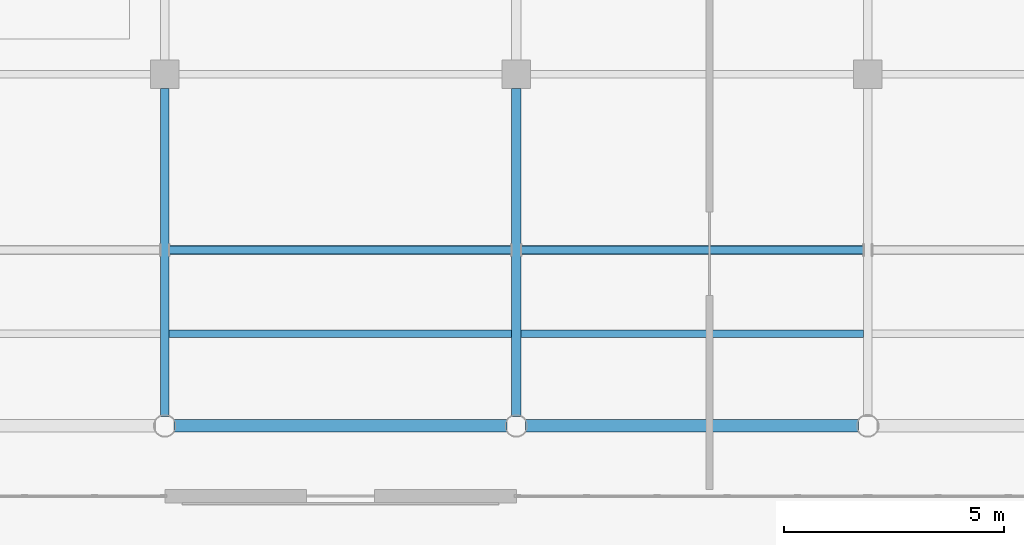
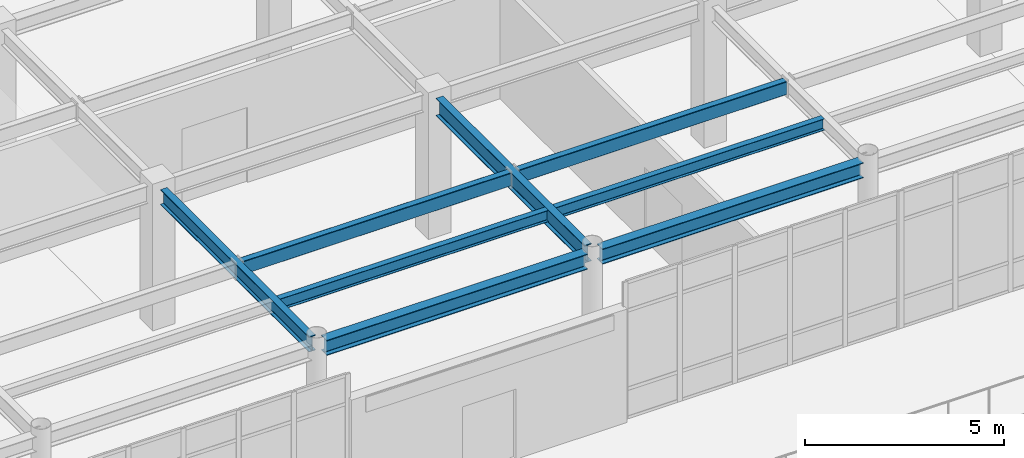
# One storey, part 37 of 93: 8 beams.
"""IFC4 building model written with IfcOpenShell, lengths in metres."""

from ifc_helpers import new_model, si_unit, direction, frame, origin, origin_2d, place, context, subcontext, project, spatial, hollow_rectangle, i_section, extrude, material, material_profile, profile_set, type_object, element, save


model = new_model("IFC4")

# Units and contexts
model_context = context("Model", 3, precision=1e-05, world=origin(), true_north=direction((0.0, 1.0)))
body_context = subcontext(model_context, "Body", "Model", "MODEL_VIEW")
ifc_project = project(units=[si_unit("LENGTHUNIT", "METRE"), si_unit("AREAUNIT", "SQUARE_METRE"), si_unit("VOLUMEUNIT", "CUBIC_METRE"), si_unit("PLANEANGLEUNIT", "RADIAN"), si_unit("MASSUNIT", "GRAM", prefix="KILO")], contexts=[model_context])

# Site, building, storey
site_placement = place(None, origin())
site = spatial("IfcSite", under=ifc_project, at=site_placement, CompositionType="ELEMENT")
building_placement = place(site_placement, origin())
building = spatial("IfcBuilding", under=site, at=building_placement, Name="Solmirada Galleria", CompositionType="ELEMENT")
storey_placement = place(building_placement, frame((0.0, 0.0, 14.89990234375)))
storey = spatial("IfcBuildingStorey", under=building, at=storey_placement, Name="L03", CompositionType="ELEMENT", Elevation=14.89990234375)

# Beams
ifc_material_1 = material(Name="Steel S355 / ASTM A992 Grade 50", Category="steel")
ifc_material_profile_1 = material_profile(ifc_material_1, i_section(OverallWidth=0.281982421875, OverallDepth=0.467041015625, WebThickness=0.01220703125, FlangeThickness=0.01953125, FilletRadius=0.013916015625, at=origin_2d()), Name="W18X86")
ifc_profile_set_1 = profile_set([ifc_material_profile_1], Name="Steel S355 / ASTM A992 Grade 50")
beam_type_1 = type_object("IfcBeamType", Name="BM-GIRD-W18A", PredefinedType="BEAM", material=ifc_profile_set_1)
for number, where, z_axis, x_axis, name in (
    (1, (56.21337890625, 88.0, 4.026611328125), (1.0, 0.0, 0.0), (0.0, 1.0, 0.0), "Primary beam L04 X(56..64, 88)"),
    (2, (64.21337890625, 88.0, 4.026611328125), (1.0, 0.0, 0.0), (0.0, 1.0, 0.0), "Primary beam L04 X(64..72, 88)"),
):
    element("IfcBeam", number, at=place(storey_placement, frame(where, z_axis=z_axis, x_axis=x_axis)), inside=storey, type_object=beam_type_1, Name=name, PredefinedType="BEAM", context=body_context, shape_type="SweptSolid", body=[
        extrude(i_section(OverallWidth=0.281982421875, OverallDepth=0.467041015625, WebThickness=0.01220703125, FlangeThickness=0.01953125, FilletRadius=0.013916015625, at=origin_2d()), origin(), (0.0, 0.0, 1.0), 7.5732421875),
    ])
ifc_material_profile_2 = material_profile(ifc_material_1, i_section(OverallWidth=0.194091796875, OverallDepth=0.468994140625, WebThickness=0.0126953125, FlangeThickness=0.0205078125, FilletRadius=0.013916015625, at=origin_2d()), Name="W18X71")
ifc_profile_set_2 = profile_set([ifc_material_profile_2], Name="Steel S355 / ASTM A992 Grade 50")
beam_type_2 = type_object("IfcBeamType", Name="BM-GIRD-W18B", PredefinedType="BEAM", material=ifc_profile_set_2)
beam_1_placement = place(storey_placement, frame((56.0, 88.21337890625, 4.025634765625), z_axis=(0.0, 1.0, 0.0), x_axis=(-1.0, 0.0, 0.0)))
element("IfcBeam", 3, at=beam_1_placement, inside=storey, type_object=beam_type_2, Name="Primary girder L04 Y(56, 88..96)", PredefinedType="BEAM", context=body_context, shape_type="SweptSolid", body=[
    extrude(i_section(OverallWidth=0.194091796875, OverallDepth=0.468994140625, WebThickness=0.0126953125, FlangeThickness=0.0205078125, FilletRadius=0.013916015625, at=origin_2d()), origin(), (0.0, 0.0, 1.0), 7.461669921875),
])
ifc_material_profile_3 = material_profile(ifc_material_1, i_section(OverallWidth=0.2099609375, OverallDepth=0.537109375, WebThickness=0.010986328125, FlangeThickness=0.017333984375, FilletRadius=0.014892578125, at=origin_2d()), Name="W21X68")
ifc_profile_set_3 = profile_set([ifc_material_profile_3], Name="Steel S355 / ASTM A992 Grade 50")
beam_type_3 = type_object("IfcBeamType", Name="BM-GIRD-W21B", PredefinedType="BEAM", material=ifc_profile_set_3)
beam_2_placement = place(storey_placement, frame((64.0, 88.21337890625, 3.99169921875), z_axis=(0.0, 1.0, 0.0), x_axis=(-1.0, 0.0, 0.0)))
element("IfcBeam", 4, at=beam_2_placement, inside=storey, type_object=beam_type_3, Name="Primary girder L04 Y(64, 88..96)", PredefinedType="BEAM", context=body_context, shape_type="SweptSolid", body=[
    extrude(i_section(OverallWidth=0.2099609375, OverallDepth=0.537109375, WebThickness=0.010986328125, FlangeThickness=0.017333984375, FilletRadius=0.014892578125, at=origin_2d()), origin(), (0.0, 0.0, 1.0), 7.461669921875),
])
ifc_material_profile_4 = material_profile(ifc_material_1, i_section(OverallWidth=0.1708984375, OverallDepth=0.35205078125, WebThickness=0.0068359375, FlangeThickness=0.009765625, FilletRadius=0.010986328125, at=origin_2d()), Name="W14X30")
ifc_profile_set_4 = profile_set([ifc_material_profile_4], Name="Steel S355 / ASTM A992 Grade 50")
beam_type_4 = type_object("IfcBeamType", Name="BM-JST-W14B", PredefinedType="JOIST", material=ifc_profile_set_4)
for number, where, z_axis, x_axis, name in (
    (5, (56.096923828125, 90.10009765625, 4.083984375), (1.0, 0.0, 0.0), (0.0, 1.0, 0.0), "Terrace deck joist L04-TERR-NW X=56..64 (2)"),
    (6, (64.10498046875, 90.10009765625, 4.083984375), (1.0, 0.0, 0.0), (0.0, 1.0, 0.0), "Terrace deck joist L04-TERR-NW X=64..72 (2)"),
):
    element("IfcBeam", number, at=place(storey_placement, frame(where, z_axis=z_axis, x_axis=x_axis)), inside=storey, type_object=beam_type_4, Name=name, PredefinedType="JOIST", context=body_context, shape_type="SweptSolid", body=[
        extrude(i_section(OverallWidth=0.1708984375, OverallDepth=0.35205078125, WebThickness=0.0068359375, FlangeThickness=0.009765625, FilletRadius=0.010986328125, at=origin_2d()), origin(), (0.0, 0.0, 1.0), 7.798095703125),
    ])
ifc_material_2 = material(Name="Steel S355 / ASTM A500 Grade C", Category="steel")
ifc_material_profile_5 = material_profile(ifc_material_2, hollow_rectangle(XDim=0.202880859375, YDim=0.406005859375, WallThickness=0.01171875, InnerFilletRadius=0.01171875, OuterFilletRadius=0.023681640625, at=origin_2d()), Name="HSS16X8X1/2")
ifc_profile_set_5 = profile_set([ifc_material_profile_5], Name="Steel S355 / ASTM A500 Grade C")
beam_type_5 = type_object("IfcBeamType", Name="BM-JST-W16B", PredefinedType="JOIST", material=ifc_profile_set_5)
for number, where, z_axis, x_axis, name in (
    (7, (56.096923828125, 92.0, 4.05712890625), (1.0, 0.0, 0.0), (0.0, 1.0, 0.0), "Composite floor joist L04 (56..64, 92.0)"),
    (8, (64.10498046875, 92.0, 4.05712890625), (1.0, 0.0, 0.0), (0.0, 1.0, 0.0), "Composite floor joist L04 (64..72, 92.0)"),
):
    element("IfcBeam", number, at=place(storey_placement, frame(where, z_axis=z_axis, x_axis=x_axis)), inside=storey, type_object=beam_type_5, Name=name, PredefinedType="JOIST", context=body_context, shape_type="SweptSolid", body=[
        extrude(hollow_rectangle(XDim=0.202880859375, YDim=0.406005859375, WallThickness=0.01171875, InnerFilletRadius=0.01171875, OuterFilletRadius=0.023681640625, at=origin_2d()), origin(), (0.0, 0.0, 1.0), 7.798095703125),
    ])

save(model, "model.ifc")
